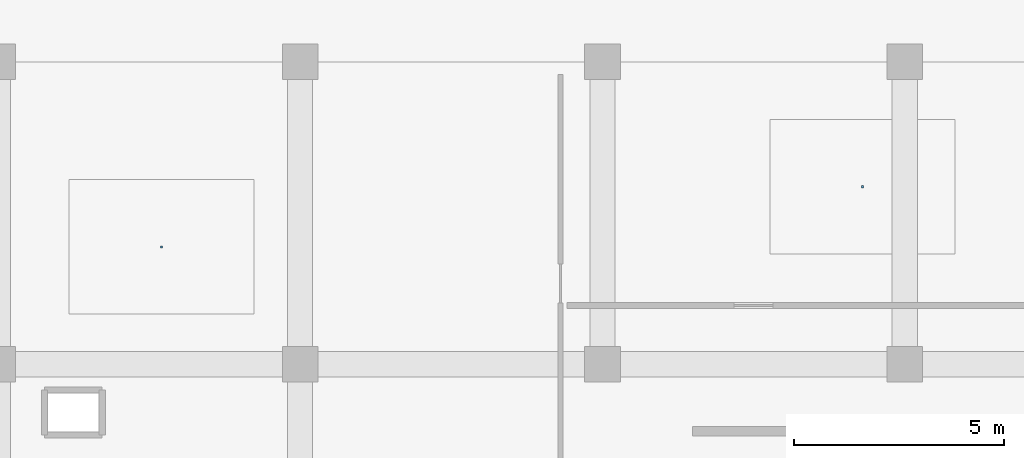
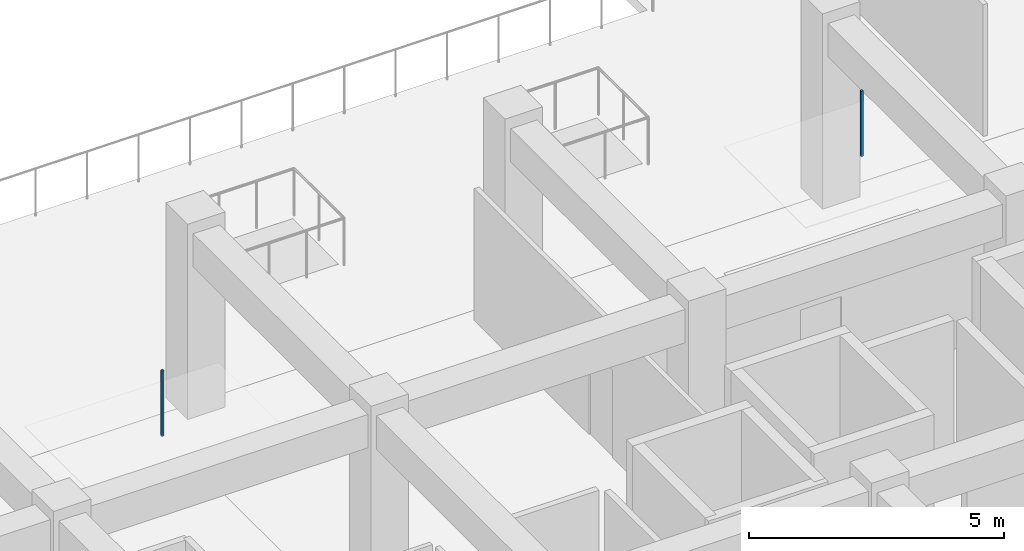
# One storey, part 40 of 55: 2 discrete accessories.
"""IFC4 building model written with IfcOpenShell, lengths in metres."""

from ifc_helpers import new_model, si_unit, direction, frame, origin, origin_2d, place, context, subcontext, project, spatial, rectangle, extrude, material, type_object, element, save


model = new_model("IFC4")

# Units and contexts
model_context = context("Model", 3, precision=1e-05, world=origin(), true_north=direction((0.0, 1.0)))
body_context = subcontext(model_context, "Body", "Model", "MODEL_VIEW")
ifc_project = project(units=[si_unit("LENGTHUNIT", "METRE"), si_unit("AREAUNIT", "SQUARE_METRE"), si_unit("VOLUMEUNIT", "CUBIC_METRE"), si_unit("PLANEANGLEUNIT", "RADIAN"), si_unit("MASSUNIT", "GRAM", prefix="KILO")], contexts=[model_context])

# Site, building, storey
site_placement = place(None, origin())
site = spatial("IfcSite", under=ifc_project, at=site_placement, CompositionType="ELEMENT")
building_placement = place(site_placement, origin())
building = spatial("IfcBuilding", under=site, at=building_placement, Name="Kazehaya Institute of Natural Sciences", CompositionType="ELEMENT")
storey_placement = place(building_placement, frame((0.0, 0.0, 15.1201171875)))
storey = spatial("IfcBuildingStorey", under=building, at=storey_placement, Name="L03", CompositionType="ELEMENT", Elevation=15.1201171875)

# Discrete accessories
ifc_material = material(Name="Structural steel SN490B", Category="steel")
discrete_accessory_type = type_object("IfcDiscreteAccessoryType", Name="ACC-CLG-HGR", PredefinedType="BRACKET", material=ifc_material)
for number, where, z_axis, x_axis, name in (
    (1, (87.302001953125, 31.19580078125, 3.032470703125), (0.0, 0.0, 1.0), (1.0, 0.0, 0.0), "L03 ceiling suspension hanger 35"),
    (2, (103.989990234375, 32.625, 3.032470703125), (0.0, 0.0, 1.0), (1.0, 0.0, 0.0), "L03 ceiling suspension hanger 36"),
):
    element("IfcDiscreteAccessory", number, at=place(storey_placement, frame(where, z_axis=z_axis, x_axis=x_axis)), inside=storey, type_object=discrete_accessory_type, Name=name, PredefinedType="BRACKET", context=body_context, shape_type="SweptSolid", body=[
        extrude(rectangle(XDim=0.050048828125, YDim=0.050048828125, at=origin_2d()), origin(), (0.0, 0.0, 1.0), 1.5673828125),
    ])

save(model, "model.ifc")
